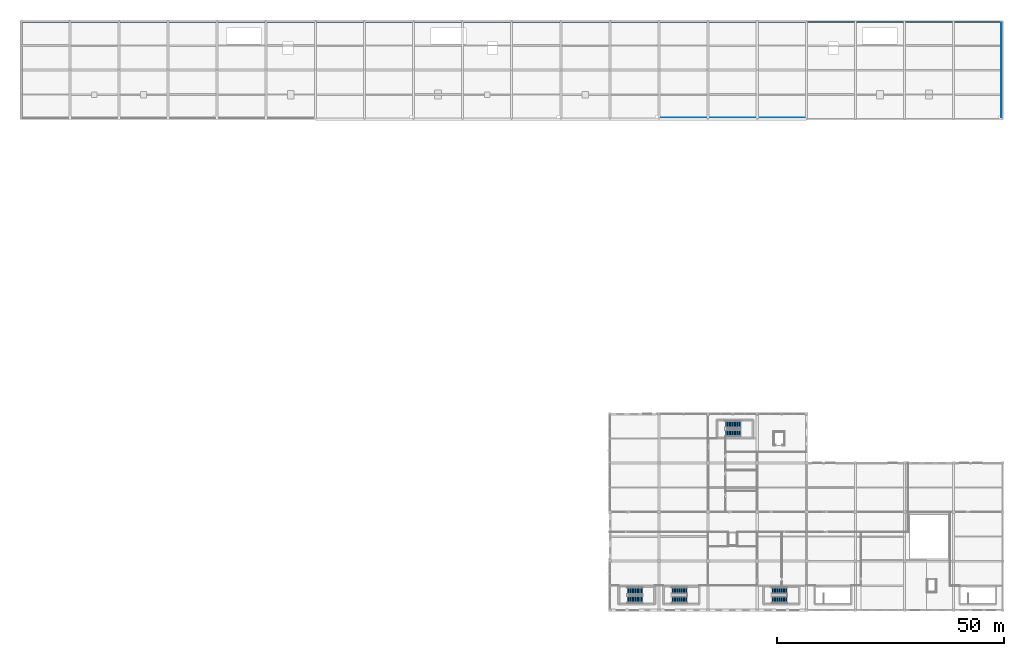
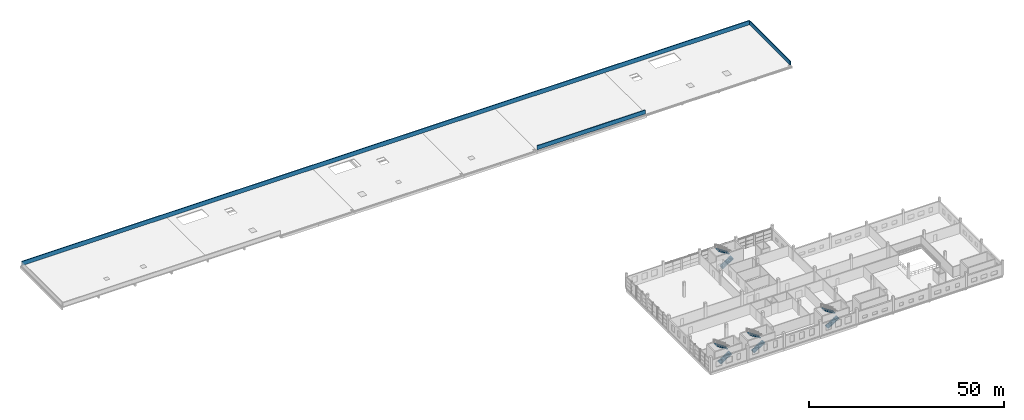
# One storey, part 19 of 24: 8 stair flights, 3 walls, 4 elements without a shape of their own.
"""IFC4 building model written with IfcOpenShell, lengths in metres."""

import ifcopenshell
import ifcopenshell.guid

model = None  # the IFC model being written
_history = None  # IfcOwnerHistory: only IFC2X3 demands one
_inside = {}  # id of a spatial element -> (the spatial element, [elements in it])
_under = {}  # id of a project, library or spatial element -> (it, [spatial elements below it])
_declared = {}  # id of a project -> (the project, [libraries it declares])
_typed = {}  # id of a type object -> (the type object, [elements of that type])
_made_of = {}  # id of a material, layer set ... -> (it, [elements and type objects made of it])


def new_model(schema):
    """Start an empty IFC model of exactly this schema.

    Asked for "IFC4X3", IfcOpenShell would pick the latest addendum, in which some entities
    have other attributes; the version numbers below select the first issue.
    IFC2X3 requires an IfcOwnerHistory on every rooted entity: one is made here for all.
    """
    global model, _history
    if schema == "IFC4X3":
        model = ifcopenshell.file(schema_version=(4, 3, 0, 0))
    else:
        model = ifcopenshell.file(schema=schema)
    _inside.clear()
    _under.clear()
    _declared.clear()
    _typed.clear()
    _made_of.clear()
    _history = None
    if model.schema == "IFC2X3":
        org = make("IfcOrganization", Name="unknown")
        user = make(
            "IfcPersonAndOrganization",
            ThePerson=make("IfcPerson", FamilyName="unknown"),
            TheOrganization=org,
        )
        app = make(
            "IfcApplication",
            ApplicationDeveloper=org,
            Version="unknown",
            ApplicationFullName="unknown",
            ApplicationIdentifier="unknown",
        )
        _history = make(
            "IfcOwnerHistory",
            OwningUser=user,
            OwningApplication=app,
            ChangeAction="ADDED",
            CreationDate=0,
        )
    return model


def make(cls, **values):
    """One entity of the class cls with the attributes given. An attribute that is None is left unset."""
    return model.create_entity(
        cls, **{name: value for name, value in values.items() if value is not None}
    )


def rooted(cls, **values):
    """An entity with a GlobalId (a new one), such as an element, a storey or a relation."""
    return make(cls, GlobalId=ifcopenshell.guid.new(), OwnerHistory=_history, **values)


def si_unit(unit_type, name, prefix=None):
    """IfcSIUnit, for example si_unit("LENGTHUNIT", "METRE", prefix="MILLI")."""
    return make("IfcSIUnit", UnitType=unit_type, Prefix=prefix, Name=name)


def assignment(units):
    """IfcUnitAssignment: the units of a project."""
    return None if units is None else make("IfcUnitAssignment", Units=units)


def point(xyz):
    """IfcCartesianPoint."""
    return None if xyz is None else make("IfcCartesianPoint", Coordinates=xyz)


def direction(xyz):
    """IfcDirection."""
    return None if xyz is None else make("IfcDirection", DirectionRatios=xyz)


def frame(location, z_axis=None, x_axis=None):
    """IfcAxis2Placement3D, a coordinate frame: its origin and axes. An axis left out is left unset."""
    return make(
        "IfcAxis2Placement3D",
        Location=point(location),
        Axis=direction(z_axis),
        RefDirection=direction(x_axis),
    )


def frame_2d(location, x_axis=None):
    """IfcAxis2Placement2D, a coordinate frame in the plane: its origin and x axis."""
    return make(
        "IfcAxis2Placement2D", Location=point(location), RefDirection=direction(x_axis)
    )


def origin():
    """The frame at (0, 0, 0) with its axes left unset."""
    return frame((0.0, 0.0, 0.0))


def place(relative_to, where):
    """IfcLocalPlacement: puts the frame where relative to a parent placement (None: the world)."""
    return make(
        "IfcLocalPlacement", PlacementRelTo=relative_to, RelativePlacement=where
    )


def context(
    kind, dimensions, precision=None, world=None, true_north=None, identifier=None
):
    """IfcGeometricRepresentationContext, for example the 3D "Model" context."""
    return make(
        "IfcGeometricRepresentationContext",
        ContextIdentifier=identifier,
        ContextType=kind,
        CoordinateSpaceDimension=dimensions,
        Precision=precision,
        WorldCoordinateSystem=world,
        TrueNorth=true_north,
    )


def subcontext(parent, identifier, kind, view, scale=None):
    """IfcGeometricRepresentationSubContext, for example "Body" below "Model"."""
    return make(
        "IfcGeometricRepresentationSubContext",
        ContextIdentifier=identifier,
        ContextType=kind,
        ParentContext=parent,
        TargetScale=scale,
        TargetView=view,
    )


def project(units=None, contexts=None):
    """IfcProject with its units and contexts."""
    return rooted(
        "IfcProject",
        Name="project",
        RepresentationContexts=contexts,
        UnitsInContext=assignment(units),
    )


def spatial(cls, under=None, at=None, **own):
    """A site, building, storey or space (cls), placed at a placement, below another one or the project."""
    s = rooted(cls, ObjectPlacement=at, **own)
    if under is not None:
        _under.setdefault(under.id(), (under, []))[1].append(s)
    return s


def polyline(points):
    """IfcPolyline through the points."""
    return make("IfcPolyline", Points=[point(p) for p in points])


def profile(cls, at=None, kind="AREA", **sizes):
    """A parametric profile (cls). Its sizes go by their IFC names, for example OverallWidth=200.0."""
    return make(cls, ProfileType=kind, Position=at, **sizes)


def rectangle(**sizes):
    """IfcRectangleProfileDef."""
    return profile("IfcRectangleProfileDef", **sizes)


def outline(outer, holes=None, kind="AREA"):
    """IfcArbitraryClosedProfileDef: a profile drawn as a closed curve; with holes, ...WithVoids."""
    if holes is None:
        return make("IfcArbitraryClosedProfileDef", ProfileType=kind, OuterCurve=outer)
    return make(
        "IfcArbitraryProfileDefWithVoids",
        ProfileType=kind,
        OuterCurve=outer,
        InnerCurves=holes,
    )


def extrude(swept, where, along, depth):
    """IfcExtrudedAreaSolid: the profile swept, set in the frame where, extruded along a direction by depth."""
    return make(
        "IfcExtrudedAreaSolid",
        SweptArea=swept,
        Position=where,
        ExtrudedDirection=direction(along),
        Depth=depth,
    )


def shape(context_of_items, identifier, shape_type, items):
    """IfcShapeRepresentation: the items that make up one representation, for example the "Body"."""
    return make(
        "IfcShapeRepresentation",
        ContextOfItems=context_of_items,
        RepresentationIdentifier=identifier,
        RepresentationType=shape_type,
        Items=items,
    )


def material(Name=None, Category=None):
    """IfcMaterial."""
    return make("IfcMaterial", Name=Name, Category=Category)


def layer(
    of_material, thickness, ventilated=None, Name=None, Category=None, Priority=None
):
    """IfcMaterialLayer: one layer of a wall or slab, of a material (None: an air gap)."""
    return make(
        "IfcMaterialLayer",
        Material=of_material,
        LayerThickness=thickness,
        IsVentilated=ventilated,
        Name=Name,
        Category=Category,
        Priority=Priority,
    )


def layer_set(layers, Name=None):
    """IfcMaterialLayerSet."""
    return make("IfcMaterialLayerSet", MaterialLayers=layers, LayerSetName=Name)


def made_of(thing, what):
    """Note that an element or type object is made of a material, layer set ...; save() writes the relation."""
    if what is not None:
        _made_of.setdefault(what.id(), (what, []))[1].append(thing)
    return thing


def type_object(cls, material=None, **own):
    """A type object (cls), such as IfcWallType, which elements share."""
    return made_of(rooted(cls, **own), material)


def element(
    cls,
    number,
    at=None,
    inside=None,
    cuts=None,
    type_object=None,
    material=None,
    context=None,
    identifier="Body",
    shape_type=None,
    held_by="IfcProductDefinitionShape",
    body=None,
    shapes=None,
    **own,
):
    """One element of the class cls, such as IfcWall. Its Tag is "e" and its number.

    at: its placement. inside: the storey or other place that contains it. cuts: it is an
    opening in that element (IfcRelVoidsElement). A single representation is given by context,
    identifier, shape_type and body (its items); several are given by shapes. held_by: the class
    of the entity that holds the representations. save() writes the other relations.
    """
    e = rooted(cls, Tag="e%d" % number, ObjectPlacement=at, **own)
    if body is not None:
        shapes = [shape(context, identifier, shape_type, body)]
    if shapes is not None:
        e.Representation = make(held_by, Representations=shapes)
    if inside is not None:
        _inside.setdefault(inside.id(), (inside, []))[1].append(e)
    if cuts is not None:
        rooted(
            "IfcRelVoidsElement", RelatingBuildingElement=cuts, RelatedOpeningElement=e
        )
    if type_object is not None:
        _typed.setdefault(type_object.id(), (type_object, []))[1].append(e)
    return made_of(e, material)


def aggregate(whole, parts):
    """IfcRelAggregates: a whole, such as a stair, and the parts it consists of."""
    return rooted("IfcRelAggregates", RelatingObject=whole, RelatedObjects=parts)


def save(model, path):
    """Write the relations noted so far, then the file.

    IfcRelAggregates (storeys below a building ...), IfcRelContainedInSpatialStructure (elements
    in a storey), IfcRelDefinesByType, IfcRelAssociatesMaterial and IfcRelDeclares: one each for
    every whole, place, type object, material and project.
    """
    for whole, parts in _under.values():
        aggregate(whole, parts)
    for where, things in _inside.values():
        rooted(
            "IfcRelContainedInSpatialStructure",
            RelatedElements=things,
            RelatingStructure=where,
        )
    for kind, things in _typed.values():
        rooted("IfcRelDefinesByType", RelatedObjects=things, RelatingType=kind)
    for what, things in _made_of.values():
        rooted("IfcRelAssociatesMaterial", RelatedObjects=things, RelatingMaterial=what)
    for by, libraries in _declared.values():
        rooted("IfcRelDeclares", RelatingContext=by, RelatedDefinitions=libraries)
    model.write(path)


model = new_model("IFC4")

# Units and contexts
model_context = context("Model", 3, precision=1e-05, world=origin(), true_north=direction((0.0, 1.0)))
body_context = subcontext(model_context, "Body", "Model", "MODEL_VIEW")
ifc_project = project(units=[si_unit("LENGTHUNIT", "METRE"), si_unit("AREAUNIT", "SQUARE_METRE"), si_unit("VOLUMEUNIT", "CUBIC_METRE"), si_unit("PLANEANGLEUNIT", "RADIAN"), si_unit("MASSUNIT", "GRAM", prefix="KILO")], contexts=[model_context])

# Site, building, storey
site_placement = place(None, origin())
site = spatial("IfcSite", under=ifc_project, at=site_placement, CompositionType="ELEMENT")
building_placement = place(site_placement, origin())
building = spatial("IfcBuilding", under=site, at=building_placement, Name="Zwinboog Wholesale Market", CompositionType="ELEMENT")
storey_placement = place(building_placement, frame((0.0, 0.0, 10.080078125)))
storey = spatial("IfcBuildingStorey", under=building, at=storey_placement, Name="L02", CompositionType="ELEMENT", Elevation=10.080078125)

# Walls
ifc_material_1 = material(Name="Precast concrete C45/55", Category="concrete")
ifc_layer_1 = layer(ifc_material_1, 0.18798828125)
ifc_layer_set_1 = layer_set([ifc_layer_1], Name="Precast concrete C45/55")
wall_type_1 = type_object("IfcWallType", Name="WT-PR-188", PredefinedType="PARAPET", material=ifc_layer_set_1)
wall_1_placement = place(storey_placement, frame((215.800048828125, 108.39990234375, 0.0), z_axis=(0.0, 0.0, 1.0), x_axis=(0.0, 1.0, 0.0)))
element("IfcWall", 1, at=wall_1_placement, inside=storey, type_object=wall_type_1, Name="PR-01 (WL-PAR-05)", PredefinedType="PARAPET", context=body_context, shape_type="SweptSolid", body=[
    extrude(rectangle(XDim=20.800048828125, YDim=0.18798828125, at=frame_2d((10.39990234375, 0.0))), origin(), (0.0, 0.0, 1.0), 1.25),
])
ifc_layer_2 = layer(ifc_material_1, 0.216064453125)
ifc_layer_set_2 = layer_set([ifc_layer_2], Name="Precast concrete C45/55")
wall_type_2 = type_object("IfcWallType", Name="WT-PR-216", PredefinedType="PARAPET", material=ifc_layer_set_2)
wall_2_placement = place(storey_placement, frame((140.60009765625, 108.199951171875, 0.0), z_axis=(0.0, 0.0, 1.0), x_axis=(1.0, 0.0, 0.0)))
element("IfcWall", 2, at=wall_2_placement, inside=storey, type_object=wall_type_2, Name="PR-02 (WL-PAR-03)", PredefinedType="PARAPET", context=body_context, shape_type="SweptSolid", body=[
    extrude(rectangle(XDim=32.0, YDim=0.216064453125, at=frame_2d((16.0, 0.0))), origin(), (0.0, 0.0, 1.0), 1.25),
])
ifc_layer_3 = layer(ifc_material_1, 0.24609375)
ifc_layer_set_3 = layer_set([ifc_layer_3], Name="Precast concrete C45/55")
wall_type_3 = type_object("IfcWallType", Name="WT-PR-246", PredefinedType="PARAPET", material=ifc_layer_set_3)
wall_3_placement = place(storey_placement, frame((0.199951171875, 129.39990234375, 0.0), z_axis=(0.0, 0.0, 1.0), x_axis=(1.0, 0.0, 0.0)))
element("IfcWall", 3, at=wall_3_placement, inside=storey, type_object=wall_type_3, Name="PR-03 (WL-PAR-01)", PredefinedType="PARAPET", context=body_context, shape_type="SweptSolid", body=[
    extrude(rectangle(XDim=215.60009765625, YDim=0.24609375, at=frame_2d((107.800048828125, 0.0))), origin(), (0.0, 0.0, 1.0), 1.31982421875),
])

# Stair, stair flights
ifc_material_2 = material(Name="Concrete C40/50", Category="concrete")
stair_type_1 = type_object("IfcStairType", Name="STT-DOG-145", PredefinedType="HALF_TURN_STAIR", material=ifc_material_2)
stair_1_placement = place(storey_placement, origin())
stair_1 = element("IfcStair", 4, at=stair_1_placement, inside=storey, type_object=stair_type_1, Name="Enclosed Escape Stair ST-11C", PredefinedType="HALF_TURN_STAIR")
stair_flight_type_1 = type_object("IfcStairFlightType", Name="SFT-145", PredefinedType="STRAIGHT", material=ifc_material_2)
stair_flight_1_placement = place(storey_placement, frame((165.219970703125, 2.280029296875, 0.0), z_axis=(0.0, 0.0, 1.0), x_axis=(1.0, 0.0, 0.0)))
stair_flight_1 = element("IfcStairFlight", 5, at=stair_flight_1_placement, type_object=stair_flight_type_1, Name="ST-11C flight 1", NumberOfRisers=13, NumberOfTreads=12, PredefinedType="STRAIGHT", RiserHeight=0.18, TreadLength=0.28, context=body_context, shape_type="SweptSolid", body=[
    extrude(outline(polyline([(0.0, 0.0), (0.0, 0.179931640625), (0.280029296875, 0.179931640625), (0.280029296875, 0.360107421875), (0.56005859375, 0.360107421875), (0.56005859375, 0.5400390625), (0.840087890625, 0.5400390625), (0.840087890625, 0.719970703125), (1.1201171875, 0.719970703125), (1.1201171875, 0.89990234375), (1.39990234375, 0.89990234375), (1.39990234375, 1.080078125), (1.679931640625, 1.080078125), (1.679931640625, 1.260009765625), (1.9599609375, 1.260009765625), (1.9599609375, 1.43994140625), (2.239990234375, 1.43994140625), (2.239990234375, 1.6201171875), (2.52001953125, 1.6201171875), (2.52001953125, 1.800048828125), (2.800048828125, 1.800048828125), (2.800048828125, 1.97998046875), (3.080078125, 1.97998046875), (3.080078125, 2.159912109375), (3.360107421875, 2.159912109375), (3.360107421875, 2.340087890625), (3.360107421875, 1.946044921875), (0.332763671875, 0.0), (0.0, 0.0)])), frame((0.0, 0.719970703125, 0.0), z_axis=(0.0, -1.0, 0.0), x_axis=(1.0, 0.0, 0.0)), (0.0, 0.0, 1.0), 1.43994140625),
])
stair_flight_2_placement = place(storey_placement, frame((168.580078125, 4.320068359375, 2.33984375), z_axis=(0.0, 0.0, 1.0), x_axis=(-1.0, 0.0, 0.0)))
stair_flight_2 = element("IfcStairFlight", 6, at=stair_flight_2_placement, type_object=stair_flight_type_1, Name="ST-11C flight 2", NumberOfRisers=13, NumberOfTreads=12, PredefinedType="STRAIGHT", RiserHeight=0.18, TreadLength=0.28, context=body_context, shape_type="SweptSolid", body=[
    extrude(outline(polyline([(0.0, 0.0), (0.0, 0.179931640625), (0.280029296875, 0.179931640625), (0.280029296875, 0.360107421875), (0.56005859375, 0.360107421875), (0.56005859375, 0.5400390625), (0.840087890625, 0.5400390625), (0.840087890625, 0.719970703125), (1.1201171875, 0.719970703125), (1.1201171875, 0.89990234375), (1.39990234375, 0.89990234375), (1.39990234375, 1.080078125), (1.679931640625, 1.080078125), (1.679931640625, 1.260009765625), (1.9599609375, 1.260009765625), (1.9599609375, 1.43994140625), (2.239990234375, 1.43994140625), (2.239990234375, 1.6201171875), (2.52001953125, 1.6201171875), (2.52001953125, 1.800048828125), (2.800048828125, 1.800048828125), (2.800048828125, 1.97998046875), (3.080078125, 1.97998046875), (3.080078125, 2.159912109375), (3.360107421875, 2.159912109375), (3.360107421875, 2.340087890625), (3.360107421875, 1.946044921875), (0.332763671875, 0.0), (0.0, 0.0)])), frame((0.0, 0.719970703125, 0.0), z_axis=(0.0, -1.0, 0.0), x_axis=(1.0, 0.0, 0.0)), (0.0, 0.0, 1.0), 1.43994140625),
])
aggregate(stair_1, [stair_flight_1, stair_flight_2])

stair_2_placement = place(storey_placement, origin())
stair_2 = element("IfcStair", 7, at=stair_2_placement, inside=storey, type_object=stair_type_1, Name="Enclosed Escape Stair ST-13C", PredefinedType="HALF_TURN_STAIR")
stair_flight_3_placement = place(storey_placement, frame((143.219970703125, 2.280029296875, 0.0), z_axis=(0.0, 0.0, 1.0), x_axis=(1.0, 0.0, 0.0)))
stair_flight_3 = element("IfcStairFlight", 8, at=stair_flight_3_placement, type_object=stair_flight_type_1, Name="ST-13C flight 1", NumberOfRisers=13, NumberOfTreads=12, PredefinedType="STRAIGHT", RiserHeight=0.18, TreadLength=0.28, context=body_context, shape_type="SweptSolid", body=[
    extrude(outline(polyline([(0.0, 0.0), (0.0, 0.179931640625), (0.280029296875, 0.179931640625), (0.280029296875, 0.360107421875), (0.56005859375, 0.360107421875), (0.56005859375, 0.5400390625), (0.840087890625, 0.5400390625), (0.840087890625, 0.719970703125), (1.1201171875, 0.719970703125), (1.1201171875, 0.89990234375), (1.39990234375, 0.89990234375), (1.39990234375, 1.080078125), (1.679931640625, 1.080078125), (1.679931640625, 1.260009765625), (1.9599609375, 1.260009765625), (1.9599609375, 1.43994140625), (2.239990234375, 1.43994140625), (2.239990234375, 1.6201171875), (2.52001953125, 1.6201171875), (2.52001953125, 1.800048828125), (2.800048828125, 1.800048828125), (2.800048828125, 1.97998046875), (3.080078125, 1.97998046875), (3.080078125, 2.159912109375), (3.360107421875, 2.159912109375), (3.360107421875, 2.340087890625), (3.360107421875, 1.946044921875), (0.332763671875, 0.0), (0.0, 0.0)])), frame((0.0, 0.719970703125, 0.0), z_axis=(0.0, -1.0, 0.0), x_axis=(1.0, 0.0, 0.0)), (0.0, 0.0, 1.0), 1.43994140625),
])
stair_flight_4_placement = place(storey_placement, frame((146.580078125, 4.320068359375, 2.33984375), z_axis=(0.0, 0.0, 1.0), x_axis=(-1.0, 0.0, 0.0)))
stair_flight_4 = element("IfcStairFlight", 9, at=stair_flight_4_placement, type_object=stair_flight_type_1, Name="ST-13C flight 2", NumberOfRisers=13, NumberOfTreads=12, PredefinedType="STRAIGHT", RiserHeight=0.18, TreadLength=0.28, context=body_context, shape_type="SweptSolid", body=[
    extrude(outline(polyline([(0.0, 0.0), (0.0, 0.179931640625), (0.280029296875, 0.179931640625), (0.280029296875, 0.360107421875), (0.56005859375, 0.360107421875), (0.56005859375, 0.5400390625), (0.840087890625, 0.5400390625), (0.840087890625, 0.719970703125), (1.1201171875, 0.719970703125), (1.1201171875, 0.89990234375), (1.39990234375, 0.89990234375), (1.39990234375, 1.080078125), (1.679931640625, 1.080078125), (1.679931640625, 1.260009765625), (1.9599609375, 1.260009765625), (1.9599609375, 1.43994140625), (2.239990234375, 1.43994140625), (2.239990234375, 1.6201171875), (2.52001953125, 1.6201171875), (2.52001953125, 1.800048828125), (2.800048828125, 1.800048828125), (2.800048828125, 1.97998046875), (3.080078125, 1.97998046875), (3.080078125, 2.159912109375), (3.360107421875, 2.159912109375), (3.360107421875, 2.340087890625), (3.360107421875, 1.946044921875), (0.332763671875, 0.0), (0.0, 0.0)])), frame((0.0, 0.719970703125, 0.0), z_axis=(0.0, -1.0, 0.0), x_axis=(1.0, 0.0, 0.0)), (0.0, 0.0, 1.0), 1.43994140625),
])
aggregate(stair_2, [stair_flight_3, stair_flight_4])

stair_type_2 = type_object("IfcStairType", Name="STT-DOG-160", PredefinedType="HALF_TURN_STAIR", material=ifc_material_2)
stair_3_placement = place(storey_placement, origin())
stair_3 = element("IfcStair", 10, at=stair_3_placement, inside=storey, type_object=stair_type_2, Name="Enclosed Escape Stair ST-10C", PredefinedType="HALF_TURN_STAIR")
stair_flight_type_2 = type_object("IfcStairFlightType", Name="SFT-160", PredefinedType="STRAIGHT", material=ifc_material_2)
stair_flight_5_placement = place(storey_placement, frame((133.419921875, 2.330078125, 0.0), z_axis=(0.0, 0.0, 1.0), x_axis=(1.0, 0.0, 0.0)))
stair_flight_5 = element("IfcStairFlight", 11, at=stair_flight_5_placement, type_object=stair_flight_type_2, Name="ST-10C flight 1", NumberOfRisers=13, NumberOfTreads=12, PredefinedType="STRAIGHT", RiserHeight=0.18, TreadLength=0.28, context=body_context, shape_type="SweptSolid", body=[
    extrude(outline(polyline([(0.0, 0.0), (0.0, 0.179931640625), (0.280029296875, 0.179931640625), (0.280029296875, 0.360107421875), (0.56005859375, 0.360107421875), (0.56005859375, 0.5400390625), (0.840087890625, 0.5400390625), (0.840087890625, 0.719970703125), (1.1201171875, 0.719970703125), (1.1201171875, 0.89990234375), (1.39990234375, 0.89990234375), (1.39990234375, 1.080078125), (1.679931640625, 1.080078125), (1.679931640625, 1.260009765625), (1.9599609375, 1.260009765625), (1.9599609375, 1.43994140625), (2.239990234375, 1.43994140625), (2.239990234375, 1.6201171875), (2.52001953125, 1.6201171875), (2.52001953125, 1.800048828125), (2.800048828125, 1.800048828125), (2.800048828125, 1.97998046875), (3.080078125, 1.97998046875), (3.080078125, 2.159912109375), (3.360107421875, 2.159912109375), (3.360107421875, 2.340087890625), (3.360107421875, 1.946044921875), (0.332763671875, 0.0), (0.0, 0.0)])), frame((0.0, 0.77001953125, 0.0), z_axis=(0.0, -1.0, 0.0), x_axis=(1.0, 0.0, 0.0)), (0.0, 0.0, 1.0), 1.5400390625),
])
stair_flight_6_placement = place(storey_placement, frame((136.780029296875, 4.27001953125, 2.33984375), z_axis=(0.0, 0.0, 1.0), x_axis=(-1.0, 0.0, 0.0)))
stair_flight_6 = element("IfcStairFlight", 12, at=stair_flight_6_placement, type_object=stair_flight_type_2, Name="ST-10C flight 2", NumberOfRisers=13, NumberOfTreads=12, PredefinedType="STRAIGHT", RiserHeight=0.18, TreadLength=0.28, context=body_context, shape_type="SweptSolid", body=[
    extrude(outline(polyline([(0.0, 0.0), (0.0, 0.179931640625), (0.280029296875, 0.179931640625), (0.280029296875, 0.360107421875), (0.56005859375, 0.360107421875), (0.56005859375, 0.5400390625), (0.840087890625, 0.5400390625), (0.840087890625, 0.719970703125), (1.1201171875, 0.719970703125), (1.1201171875, 0.89990234375), (1.39990234375, 0.89990234375), (1.39990234375, 1.080078125), (1.679931640625, 1.080078125), (1.679931640625, 1.260009765625), (1.9599609375, 1.260009765625), (1.9599609375, 1.43994140625), (2.239990234375, 1.43994140625), (2.239990234375, 1.6201171875), (2.52001953125, 1.6201171875), (2.52001953125, 1.800048828125), (2.800048828125, 1.800048828125), (2.800048828125, 1.97998046875), (3.080078125, 1.97998046875), (3.080078125, 2.159912109375), (3.360107421875, 2.159912109375), (3.360107421875, 2.340087890625), (3.360107421875, 1.946044921875), (0.332763671875, 0.0), (0.0, 0.0)])), frame((0.0, 0.77001953125, 0.0), z_axis=(0.0, -1.0, 0.0), x_axis=(1.0, 0.0, 0.0)), (0.0, 0.0, 1.0), 1.5400390625),
])
aggregate(stair_3, [stair_flight_5, stair_flight_6])

stair_4_placement = place(storey_placement, origin())
stair_4 = element("IfcStair", 13, at=stair_4_placement, inside=storey, type_object=stair_type_2, Name="Enclosed Escape Stair ST-12C", PredefinedType="HALF_TURN_STAIR")
stair_flight_7_placement = place(storey_placement, frame((155.02001953125, 38.929931640625, 0.0), z_axis=(0.0, 0.0, 1.0), x_axis=(1.0, 0.0, 0.0)))
stair_flight_7 = element("IfcStairFlight", 14, at=stair_flight_7_placement, type_object=stair_flight_type_2, Name="ST-12C flight 1", NumberOfRisers=13, NumberOfTreads=12, PredefinedType="STRAIGHT", RiserHeight=0.18, TreadLength=0.28, context=body_context, shape_type="SweptSolid", body=[
    extrude(outline(polyline([(0.0, 0.0), (0.0, 0.179931640625), (0.280029296875, 0.179931640625), (0.280029296875, 0.360107421875), (0.56005859375, 0.360107421875), (0.56005859375, 0.5400390625), (0.840087890625, 0.5400390625), (0.840087890625, 0.719970703125), (1.1201171875, 0.719970703125), (1.1201171875, 0.89990234375), (1.39990234375, 0.89990234375), (1.39990234375, 1.080078125), (1.679931640625, 1.080078125), (1.679931640625, 1.260009765625), (1.9599609375, 1.260009765625), (1.9599609375, 1.43994140625), (2.239990234375, 1.43994140625), (2.239990234375, 1.6201171875), (2.52001953125, 1.6201171875), (2.52001953125, 1.800048828125), (2.800048828125, 1.800048828125), (2.800048828125, 1.97998046875), (3.080078125, 1.97998046875), (3.080078125, 2.159912109375), (3.360107421875, 2.159912109375), (3.360107421875, 2.340087890625), (3.360107421875, 1.946044921875), (0.332763671875, 0.0), (0.0, 0.0)])), frame((0.0, 0.77001953125, 0.0), z_axis=(0.0, -1.0, 0.0), x_axis=(1.0, 0.0, 0.0)), (0.0, 0.0, 1.0), 1.5400390625),
])
stair_flight_8_placement = place(storey_placement, frame((158.3798828125, 40.8701171875, 2.33984375), z_axis=(0.0, 0.0, 1.0), x_axis=(-1.0, 0.0, 0.0)))
stair_flight_8 = element("IfcStairFlight", 15, at=stair_flight_8_placement, type_object=stair_flight_type_2, Name="ST-12C flight 2", NumberOfRisers=13, NumberOfTreads=12, PredefinedType="STRAIGHT", RiserHeight=0.18, TreadLength=0.28, context=body_context, shape_type="SweptSolid", body=[
    extrude(outline(polyline([(0.0, 0.0), (0.0, 0.179931640625), (0.280029296875, 0.179931640625), (0.280029296875, 0.360107421875), (0.56005859375, 0.360107421875), (0.56005859375, 0.5400390625), (0.840087890625, 0.5400390625), (0.840087890625, 0.719970703125), (1.1201171875, 0.719970703125), (1.1201171875, 0.89990234375), (1.39990234375, 0.89990234375), (1.39990234375, 1.080078125), (1.679931640625, 1.080078125), (1.679931640625, 1.260009765625), (1.9599609375, 1.260009765625), (1.9599609375, 1.43994140625), (2.239990234375, 1.43994140625), (2.239990234375, 1.6201171875), (2.52001953125, 1.6201171875), (2.52001953125, 1.800048828125), (2.800048828125, 1.800048828125), (2.800048828125, 1.97998046875), (3.080078125, 1.97998046875), (3.080078125, 2.159912109375), (3.360107421875, 2.159912109375), (3.360107421875, 2.340087890625), (3.360107421875, 1.946044921875), (0.332763671875, 0.0), (0.0, 0.0)])), frame((0.0, 0.77001953125, 0.0), z_axis=(0.0, -1.0, 0.0), x_axis=(1.0, 0.0, 0.0)), (0.0, 0.0, 1.0), 1.5400390625),
])
aggregate(stair_4, [stair_flight_7, stair_flight_8])

save(model, "model.ifc")
